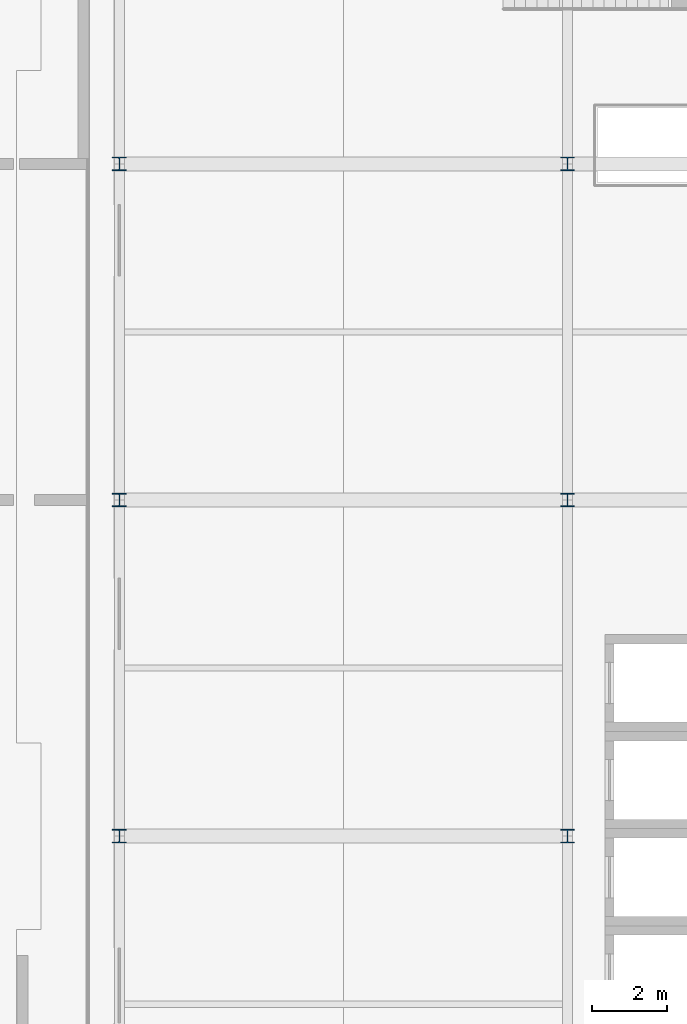
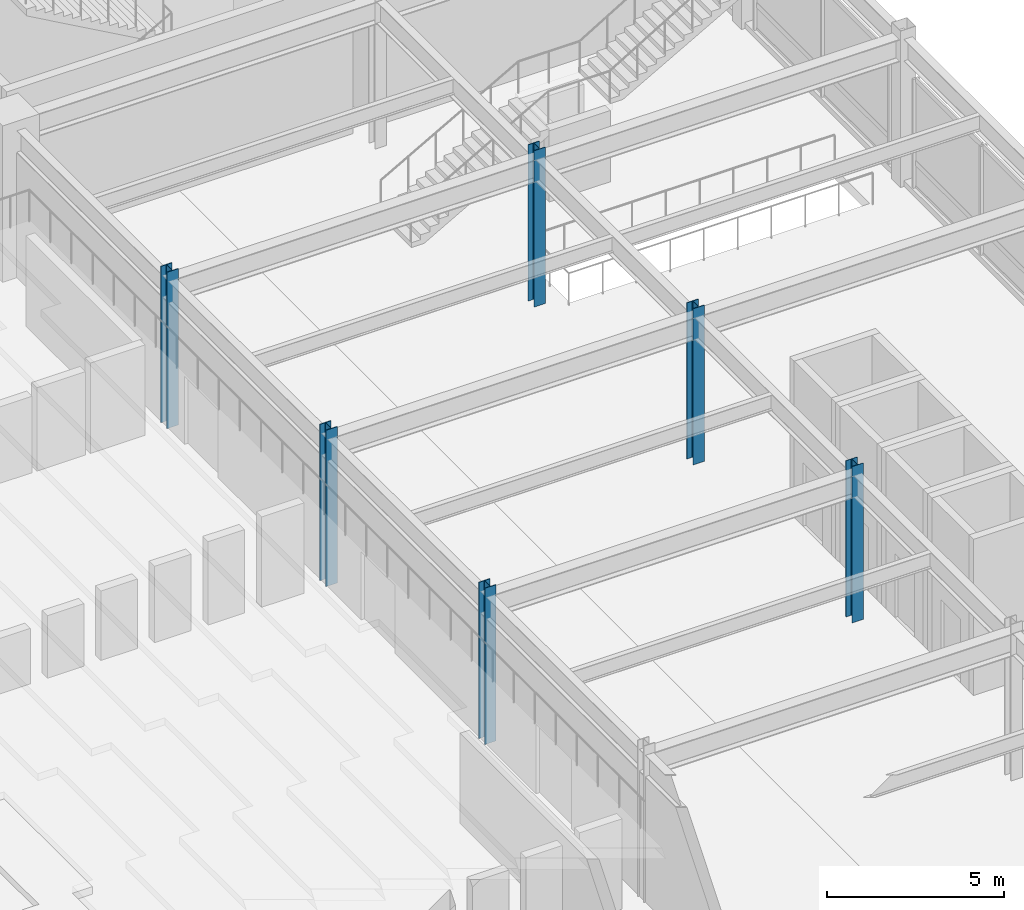
# One storey, part 6 of 100: 6 columns.
"""IFC4 building model written with IfcOpenShell, lengths in metres."""

from ifc_helpers import new_model, si_unit, direction, frame, origin, origin_2d, place, context, subcontext, project, spatial, i_section, extrude, material, material_profile, profile_set, type_object, element, save


model = new_model("IFC4")

# Units and contexts
model_context = context("Model", 3, precision=1e-05, world=origin(), true_north=direction((0.0, 1.0)))
body_context = subcontext(model_context, "Body", "Model", "MODEL_VIEW")
ifc_project = project(units=[si_unit("LENGTHUNIT", "METRE"), si_unit("AREAUNIT", "SQUARE_METRE"), si_unit("VOLUMEUNIT", "CUBIC_METRE"), si_unit("PLANEANGLEUNIT", "RADIAN"), si_unit("MASSUNIT", "GRAM", prefix="KILO")], contexts=[model_context])

# Site, building, storey
site_placement = place(None, origin())
site = spatial("IfcSite", under=ifc_project, at=site_placement, CompositionType="ELEMENT")
building_placement = place(site_placement, origin())
building = spatial("IfcBuilding", under=site, at=building_placement, Name="Kaldorvane Square Convention Centre", CompositionType="ELEMENT")
storey_placement = place(building_placement, frame((0.0, 0.0, 18.0)))
storey = spatial("IfcBuildingStorey", under=building, at=storey_placement, Name="L03", CompositionType="ELEMENT", Elevation=18.0)

# Columns
ifc_material = material(Name="Steel ASTM A992 Gr. 50", Category="steel")
ifc_material_profile = material_profile(ifc_material, i_section(OverallWidth=0.3701019287109375, OverallDepth=0.360198974609375, WebThickness=0.012298583984375, FlangeThickness=0.019805908203125, FilletRadius=0.0305023193359375, at=origin_2d()), Name="W14X99")
ifc_profile_set = profile_set([ifc_material_profile], Name="Steel ASTM A992 Gr. 50")
column_type = type_object("IfcColumnType", Name="COL-STL-99", PredefinedType="COLUMN", material=ifc_profile_set)
for number, where, z_axis, x_axis, name in (
    (1, (114.0, 45.0, 0.0), (0.0, 0.0, 1.0), (1.0, 0.0, 0.0), "Column SC-12 (L03)"),
    (2, (114.0, 54.0, 0.0), (0.0, 0.0, 1.0), (1.0, 0.0, 0.0), "Column SC-12 (L03)"),
    (3, (114.0, 63.0, 0.0), (0.0, 0.0, 1.0), (1.0, 0.0, 0.0), "Column SC-12 (L03)"),
    (4, (126.0, 45.0, 0.0), (0.0, 0.0, 1.0), (1.0, 0.0, 0.0), "Column SC-12 (L03)"),
    (5, (126.0, 54.0, 0.0), (0.0, 0.0, 1.0), (1.0, 0.0, 0.0), "Column SC-12 (L03)"),
    (6, (126.0, 63.0, 0.0), (0.0, 0.0, 1.0), (1.0, 0.0, 0.0), "Column SC-12 (L03)"),
):
    element("IfcColumn", number, at=place(storey_placement, frame(where, z_axis=z_axis, x_axis=x_axis)), inside=storey, type_object=column_type, Name=name, PredefinedType="COLUMN", context=body_context, shape_type="SweptSolid", body=[
        extrude(i_section(OverallWidth=0.3701019287109375, OverallDepth=0.360198974609375, WebThickness=0.012298583984375, FlangeThickness=0.019805908203125, FilletRadius=0.0305023193359375, at=origin_2d()), origin(), (0.0, 0.0, 1.0), 5.399993896484375),
    ])

save(model, "model.ifc")
